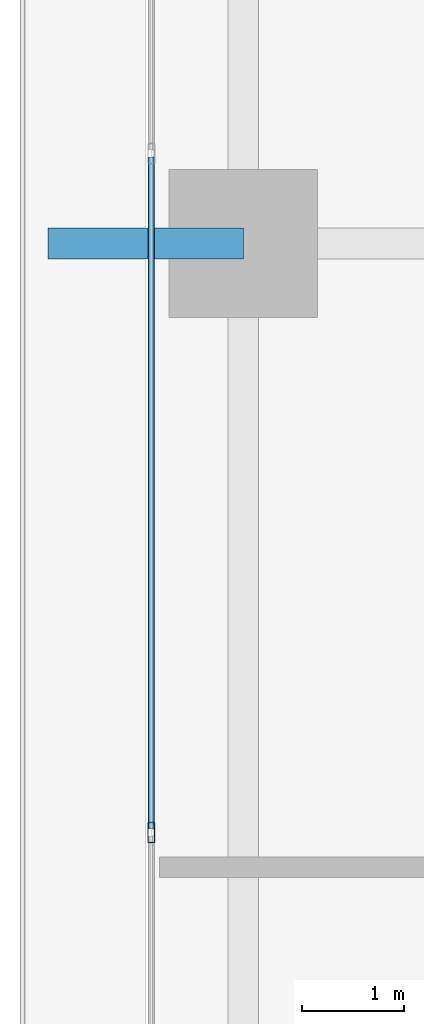
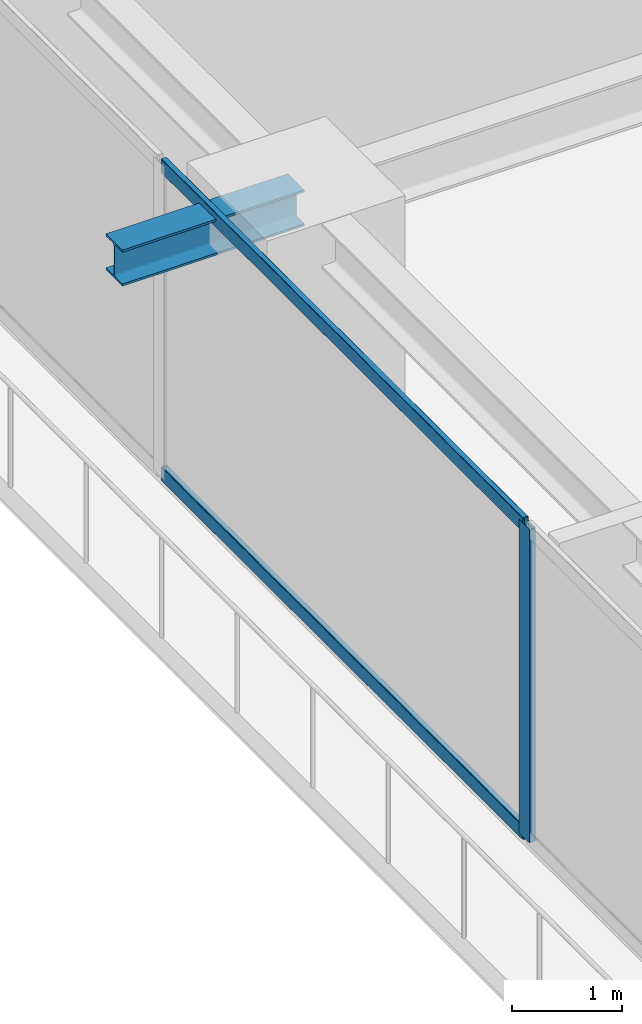
# One storey, part 7 of 39: 3 members, 1 beam, 1 element without a shape of its own.
"""IFC4 building model written with IfcOpenShell, lengths in metres."""

from ifc_helpers import new_model, si_unit, direction, frame, origin, origin_2d, place, context, subcontext, project, spatial, hollow_rectangle, i_section, extrude, source, transform, mapped, material, layer, layer_set, material_profile, profile_set, type_object, element, aggregate, save


model = new_model("IFC4")

# Units and contexts
model_context = context("Model", 3, precision=1e-05, world=origin(), true_north=direction((0.0, 1.0)))
body_context = subcontext(model_context, "Body", "Model", "MODEL_VIEW")
ifc_project = project(units=[si_unit("LENGTHUNIT", "METRE"), si_unit("AREAUNIT", "SQUARE_METRE"), si_unit("VOLUMEUNIT", "CUBIC_METRE"), si_unit("PLANEANGLEUNIT", "RADIAN"), si_unit("MASSUNIT", "GRAM", prefix="KILO")], contexts=[model_context])

# Site, building, storey
site_placement = place(None, origin())
site = spatial("IfcSite", under=ifc_project, at=site_placement, CompositionType="ELEMENT")
building_placement = place(site_placement, origin())
building = spatial("IfcBuilding", under=site, at=building_placement, Name="Serunith Strait Residences", CompositionType="ELEMENT")
storey_placement = place(building_placement, frame((0.0, 0.0, 64.199951171875)))
storey = spatial("IfcBuildingStorey", under=building, at=storey_placement, Name="L15", CompositionType="ELEMENT", Elevation=64.199951171875)

# Beam
ifc_material_1 = material(Name="Steel S355J2", Category="steel")
ifc_material_profile_1 = material_profile(ifc_material_1, i_section(OverallWidth=0.300048828125, OverallDepth=0.39990234375, WebThickness=0.013427734375, FlangeThickness=0.02392578125, FilletRadius=0.027099609375, at=origin_2d()), Name="HEB 400")
ifc_profile_set_1 = profile_set([ifc_material_profile_1], Name="Steel S355J2")
beam_type = type_object("IfcBeamType", Name="BM-HEB400", PredefinedType="BEAM", material=ifc_profile_set_1)
shared_shape_1 = source(origin(), body_context, "Body", "SweptSolid", [
    extrude(i_section(OverallWidth=0.300048828125, OverallDepth=0.39990234375, WebThickness=0.013427734375, FlangeThickness=0.02392578125, FilletRadius=0.027099609375, at=origin_2d()), origin(), (0.0, 0.0, 1.0), 1.909912109375),
])
beam_placement = place(storey_placement, frame((6.89990234375, 21.0, 3.257080078125), z_axis=(-1.0, 0.0, 0.0), x_axis=(0.0, -1.0, 0.0)))
element("IfcBeam", 1, at=beam_placement, inside=storey, type_object=beam_type, Name="L16 Cantilevered Balcony Rib TC-W2", PredefinedType="BEAM", context=body_context, shape_type="MappedRepresentation", body=[
    mapped(shared_shape_1, transform((0.0, 0.0, 0.0), scale=1.0)),
])

# Curtain wall, members
ifc_material_2 = material(Name="Pale-Champagne Anodised Aluminium", Category="aluminium")
ifc_layer = layer(ifc_material_2, 0.199951171875, Name="Pale-Champagne Anodised Aluminium")
ifc_layer_set = layer_set([ifc_layer], Name="Pale-Champagne Anodised Aluminium")
curtain_wall_type = type_object("IfcCurtainWallType", Name="CW-SYS1", PredefinedType="NOTDEFINED", material=ifc_layer_set)
curtain_wall_placement = place(storey_placement, origin())
curtain_wall = element("IfcCurtainWall", 2, at=curtain_wall_placement, inside=storey, type_object=curtain_wall_type, Name="L15 W Unitised Fritted Curtain Wall", PredefinedType="NOTDEFINED")
ifc_material_profile_2 = material_profile(ifc_material_2, hollow_rectangle(XDim=0.070068359375, YDim=0.199951171875, WallThickness=0.00390625, InnerFilletRadius=0.006103515625, OuterFilletRadius=0.010009765625, at=origin_2d()), Name="ALU 200x70x4")
ifc_profile_set_2 = profile_set([ifc_material_profile_2], Name="Pale-Champagne Anodised Aluminium")
member_type_1 = type_object("IfcMemberType", Name="CW-SYS1-MULL", PredefinedType="MULLION", material=ifc_profile_set_2)
shared_shape_2 = source(origin(), body_context, "Body", "SweptSolid", [
    extrude(hollow_rectangle(XDim=0.070068359375, YDim=0.199951171875, WallThickness=0.00390625, InnerFilletRadius=0.006103515625, OuterFilletRadius=0.010009765625, at=origin_2d()), origin(), (0.0, 0.0, 1.0), 3.47509765625),
])
member_1_placement = place(storey_placement, frame((6.0, 15.239990234375, 0.0), z_axis=(0.0, 0.0, 1.0), x_axis=(1.0, 0.0, 0.0)))
member_1 = element("IfcMember", 3, at=member_1_placement, type_object=member_type_1, Name="CW-1 mullion 5", PredefinedType="MULLION", context=body_context, shape_type="MappedRepresentation", body=[
    mapped(shared_shape_2, transform((0.0, 0.0, 0.0), scale=1.0)),
])
ifc_material_profile_3 = material_profile(ifc_material_2, hollow_rectangle(XDim=0.06005859375, YDim=0.159912109375, WallThickness=0.00341796875, InnerFilletRadius=0.00537109375, OuterFilletRadius=0.0087890625, at=origin_2d()), Name="ALU 160x60x3.5")
ifc_profile_set_3 = profile_set([ifc_material_profile_3], Name="Pale-Champagne Anodised Aluminium")
member_type_2 = type_object("IfcMemberType", Name="CW-SYS1-TRAN", PredefinedType="USERDEFINED", material=ifc_profile_set_3)
shared_shape_3 = source(origin(), body_context, "Body", "SweptSolid", [
    extrude(hollow_rectangle(XDim=0.06005859375, YDim=0.159912109375, WallThickness=0.00341796875, InnerFilletRadius=0.00537109375, OuterFilletRadius=0.0087890625, at=origin_2d()), origin(), (0.0, 0.0, 1.0), 6.570068359375),
])
member_2_placement = place(storey_placement, frame((6.0, 21.844970703125, 0.030029296875), z_axis=(0.0, -1.0, 0.0), x_axis=(1.0, 0.0, 0.0)))
member_2 = element("IfcMember", 4, at=member_2_placement, type_object=member_type_2, Name="CW-1 transom 4.1", ObjectType="TRANSOM", PredefinedType="USERDEFINED", context=body_context, shape_type="MappedRepresentation", body=[
    mapped(shared_shape_3, transform((0.0, 0.0, 0.0), scale=1.0)),
])
member_3_placement = place(storey_placement, frame((6.0, 21.844970703125, 3.445068359375), z_axis=(0.0, -1.0, 0.0), x_axis=(1.0, 0.0, 0.0)))
member_3 = element("IfcMember", 5, at=member_3_placement, type_object=member_type_2, Name="CW-1 transom 4.2", ObjectType="TRANSOM", PredefinedType="USERDEFINED", context=body_context, shape_type="MappedRepresentation", body=[
    mapped(shared_shape_3, transform((0.0, 0.0, 0.0), scale=1.0)),
])
aggregate(curtain_wall, [member_1, member_2, member_3])

save(model, "model.ifc")
